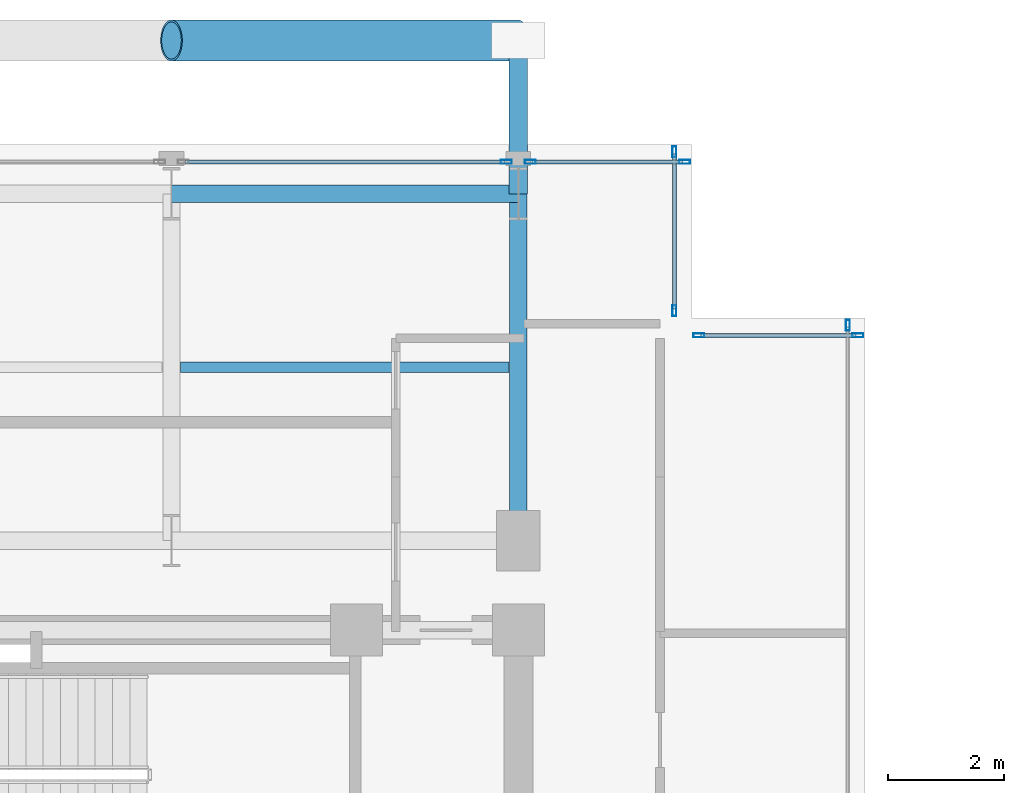
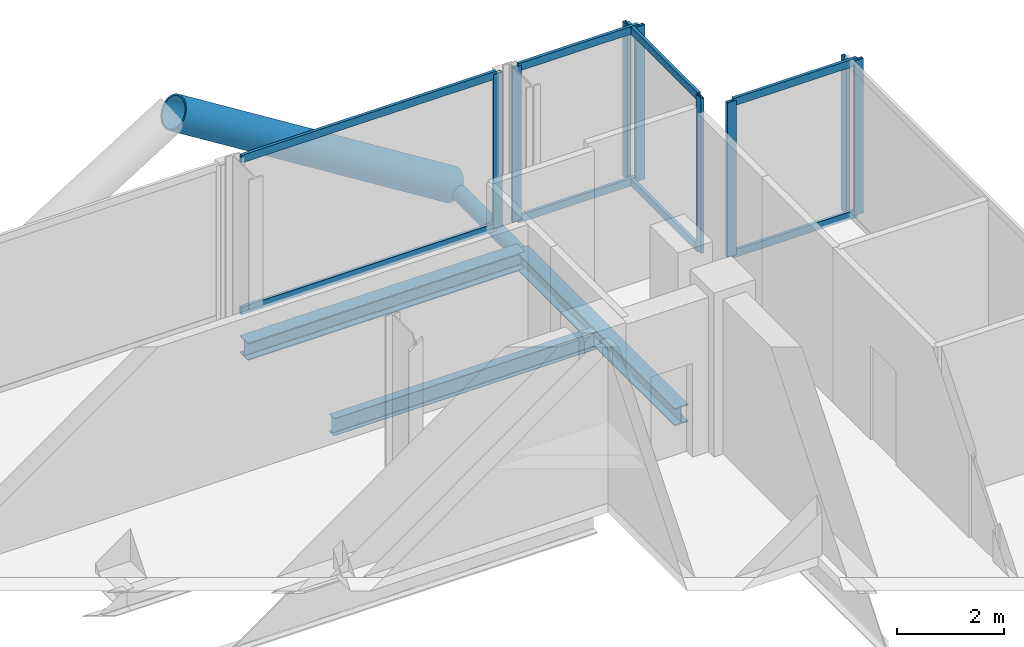
# One storey, part 15 of 25: 18 members, 3 beams, 5 elements without a shape of their own.
"""IFC4 building model written with IfcOpenShell, lengths in metres."""

from ifc_helpers import new_model, si_unit, direction, frame, origin, origin_2d, place, context, subcontext, project, spatial, hollow_rectangle, hollow_circle, i_section, extrude, material, layer, layer_set, material_profile, profile_set, type_object, element, aggregate, save


model = new_model("IFC4")

# Units and contexts
model_context = context("Model", 3, precision=1e-05, world=origin(), true_north=direction((0.0, 1.0)))
body_context = subcontext(model_context, "Body", "Model", "MODEL_VIEW")
ifc_project = project(units=[si_unit("LENGTHUNIT", "METRE"), si_unit("AREAUNIT", "SQUARE_METRE"), si_unit("VOLUMEUNIT", "CUBIC_METRE"), si_unit("PLANEANGLEUNIT", "RADIAN"), si_unit("MASSUNIT", "GRAM", prefix="KILO"), si_unit("THERMODYNAMICTEMPERATUREUNIT", "KELVIN"), si_unit("POWERUNIT", "WATT")], contexts=[model_context])

# Site, building, storey
site_placement = place(None, origin())
site = spatial("IfcSite", under=ifc_project, at=site_placement, CompositionType="ELEMENT")
building_placement = place(site_placement, origin())
building = spatial("IfcBuilding", under=site, at=building_placement, Name="Svarakhadi Broadcast Tower", CompositionType="ELEMENT")
storey_placement = place(building_placement, frame((0.0, 0.0, 227.39990234375)))
storey = spatial("IfcBuildingStorey", under=building, at=storey_placement, Name="L56", CompositionType="ELEMENT", Elevation=227.39990234375)

# Beam
ifc_material_1 = material(Name="Steel S355J2 (IS 2062 E350C)", Category="steel")
ifc_material_profile_1 = material_profile(ifc_material_1, i_section(OverallWidth=0.179931640625, OverallDepth=0.39990234375, WebThickness=0.008544921875, FlangeThickness=0.013427734375, FilletRadius=0.02099609375, at=origin_2d()), Name="NPB 400x180x66")
ifc_profile_set_1 = profile_set([ifc_material_profile_1], Name="Steel S355J2 (IS 2062 E350C)")
beam_type_1 = type_object("IfcBeamType", Name="Beam_NPB400", PredefinedType="BEAM", material=ifc_profile_set_1)
beam_placement = place(storey_placement, frame((12.159912109375, 32.14990234375, -0.409912109375), z_axis=(1.0, 0.0, 0.0), x_axis=(0.0, 1.0, 0.0)))
element("IfcBeam", 1, at=beam_placement, inside=storey, type_object=beam_type_1, Name="L56 Secondary Composite Beam SB012", PredefinedType="BEAM", context=body_context, shape_type="SweptSolid", body=[
    extrude(i_section(OverallWidth=0.179931640625, OverallDepth=0.39990234375, WebThickness=0.008544921875, FlangeThickness=0.013427734375, FilletRadius=0.02099609375, at=origin_2d()), origin(), (0.0, 0.0, 1.0), 5.68017578125),
])

# Curtain wall, member
ifc_material_2 = material(Name="Anodised Bronze Aluminium AA 6063-T6", Category="aluminium")
ifc_layer = layer(ifc_material_2, 0.18994140625)
ifc_layer_set = layer_set([ifc_layer], Name="Anodised Bronze Aluminium AA 6063-T6")
curtain_wall_type = type_object("IfcCurtainWallType", Name="CW_Sys_04", PredefinedType="NOTDEFINED", material=ifc_layer_set)
curtain_wall_1_placement = place(storey_placement, origin())
curtain_wall_1 = element("IfcCurtainWall", 2, at=curtain_wall_1_placement, inside=storey, type_object=curtain_wall_type, Name="L56 Unitised Facade Curtain Wall 06 Bay 2", PredefinedType="NOTDEFINED")
ifc_material_profile_2 = material_profile(ifc_material_2, hollow_rectangle(XDim=0.070068359375, YDim=0.18994140625, WallThickness=0.005615234375, at=origin_2d()), Name="ALU MULLION 190x70x6")
ifc_profile_set_2 = profile_set([ifc_material_profile_2], Name="Anodised Bronze Aluminium AA 6063-T6")
member_type_1 = type_object("IfcMemberType", Name="CW_Sys_04_Mul", PredefinedType="MULLION", material=ifc_profile_set_2)
member_1_placement = place(storey_placement, frame((17.794921875, 35.699951171875, 0.0), z_axis=(0.0, 0.0, 1.0), x_axis=(0.0, 1.0, 0.0)))
member_1 = element("IfcMember", 3, at=member_1_placement, type_object=member_type_1, Name="CW-04 mullion 2", PredefinedType="MULLION", context=body_context, shape_type="SweptSolid", body=[
    extrude(hollow_rectangle(XDim=0.070068359375, YDim=0.18994140625, WallThickness=0.005615234375, at=origin_2d()), origin(), (0.0, 0.0, 1.0), 3.5400390625),
])

# Curtain wall, members
curtain_wall_2_placement = place(storey_placement, origin())
curtain_wall_2 = element("IfcCurtainWall", 4, at=curtain_wall_2_placement, inside=storey, type_object=curtain_wall_type, Name="L56 Unitised Facade Curtain Wall 06 Bay 3", PredefinedType="NOTDEFINED")
member_2_placement = place(storey_placement, frame((18.205078125, 35.699951171875, 0.0), z_axis=(0.0, 0.0, 1.0), x_axis=(0.0, 1.0, 0.0)))
member_2 = element("IfcMember", 5, at=member_2_placement, type_object=member_type_1, Name="CW-04 mullion 1", PredefinedType="MULLION", context=body_context, shape_type="SweptSolid", body=[
    extrude(hollow_rectangle(XDim=0.070068359375, YDim=0.18994140625, WallThickness=0.005615234375, at=origin_2d()), origin(), (0.0, 0.0, 1.0), 3.5400390625),
])
member_3_placement = place(storey_placement, frame((20.875, 35.699951171875, 0.0), z_axis=(0.0, 0.0, 1.0), x_axis=(0.0, 1.0, 0.0)))
member_3 = element("IfcMember", 6, at=member_3_placement, type_object=member_type_1, Name="CW-04 mullion 2", PredefinedType="MULLION", context=body_context, shape_type="SweptSolid", body=[
    extrude(hollow_rectangle(XDim=0.070068359375, YDim=0.18994140625, WallThickness=0.005615234375, at=origin_2d()), origin(), (0.0, 0.0, 1.0), 3.5400390625),
])

curtain_wall_3_placement = place(storey_placement, origin())
curtain_wall_3 = element("IfcCurtainWall", 7, at=curtain_wall_3_placement, inside=storey, type_object=curtain_wall_type, Name="L56 Unitised Facade Curtain Wall 07", PredefinedType="NOTDEFINED")
member_4_placement = place(storey_placement, frame((20.699951171875, 35.875, 0.0), z_axis=(0.0, 0.0, 1.0), x_axis=(1.0, 0.0, 0.0)))
member_4 = element("IfcMember", 8, at=member_4_placement, type_object=member_type_1, Name="CW-04 mullion 1", PredefinedType="MULLION", context=body_context, shape_type="SweptSolid", body=[
    extrude(hollow_rectangle(XDim=0.070068359375, YDim=0.18994140625, WallThickness=0.005615234375, at=origin_2d()), origin(), (0.0, 0.0, 1.0), 3.5400390625),
])
member_5_placement = place(storey_placement, frame((20.699951171875, 33.125, 0.0), z_axis=(0.0, 0.0, 1.0), x_axis=(1.0, 0.0, 0.0)))
member_5 = element("IfcMember", 9, at=member_5_placement, type_object=member_type_1, Name="CW-04 mullion 2", PredefinedType="MULLION", context=body_context, shape_type="SweptSolid", body=[
    extrude(hollow_rectangle(XDim=0.070068359375, YDim=0.18994140625, WallThickness=0.005615234375, at=origin_2d()), origin(), (0.0, 0.0, 1.0), 3.5400390625),
])

curtain_wall_4_placement = place(storey_placement, origin())
curtain_wall_4 = element("IfcCurtainWall", 10, at=curtain_wall_4_placement, inside=storey, type_object=curtain_wall_type, Name="L56 Unitised Facade Curtain Wall 08", PredefinedType="NOTDEFINED")
member_6_placement = place(storey_placement, frame((21.125, 32.699951171875, 0.0), z_axis=(0.0, 0.0, 1.0), x_axis=(0.0, 1.0, 0.0)))
member_6 = element("IfcMember", 11, at=member_6_placement, type_object=member_type_1, Name="CW-04 mullion 1", PredefinedType="MULLION", context=body_context, shape_type="SweptSolid", body=[
    extrude(hollow_rectangle(XDim=0.070068359375, YDim=0.18994140625, WallThickness=0.005615234375, at=origin_2d()), origin(), (0.0, 0.0, 1.0), 3.5400390625),
])
member_7_placement = place(storey_placement, frame((23.875, 32.699951171875, 0.0), z_axis=(0.0, 0.0, 1.0), x_axis=(0.0, 1.0, 0.0)))
member_7 = element("IfcMember", 12, at=member_7_placement, type_object=member_type_1, Name="CW-04 mullion 2", PredefinedType="MULLION", context=body_context, shape_type="SweptSolid", body=[
    extrude(hollow_rectangle(XDim=0.070068359375, YDim=0.18994140625, WallThickness=0.005615234375, at=origin_2d()), origin(), (0.0, 0.0, 1.0), 3.5400390625),
])

# Curtain wall, member
curtain_wall_5_placement = place(storey_placement, origin())
curtain_wall_5 = element("IfcCurtainWall", 13, at=curtain_wall_5_placement, inside=storey, type_object=curtain_wall_type, Name="L56 Unitised Facade Curtain Wall 09", PredefinedType="NOTDEFINED")
member_8_placement = place(storey_placement, frame((23.699951171875, 32.875, 0.0), z_axis=(0.0, 0.0, 1.0), x_axis=(1.0, 0.0, 0.0)))
member_8 = element("IfcMember", 14, at=member_8_placement, type_object=member_type_1, Name="CW-04 mullion 1", PredefinedType="MULLION", context=body_context, shape_type="SweptSolid", body=[
    extrude(hollow_rectangle(XDim=0.070068359375, YDim=0.18994140625, WallThickness=0.005615234375, at=origin_2d()), origin(), (0.0, 0.0, 1.0), 3.5400390625),
])
aggregate(curtain_wall_5, [member_8])

# Member
ifc_material_profile_3 = material_profile(ifc_material_2, hollow_rectangle(XDim=0.06494140625, YDim=0.175048828125, WallThickness=0.0048828125, at=origin_2d()), Name="ALU TRANSOM 175x65x5")
ifc_profile_set_3 = profile_set([ifc_material_profile_3], Name="Anodised Bronze Aluminium AA 6063-T6")
member_type_2 = type_object("IfcMemberType", Name="CW_Sys_04_Trn", PredefinedType="USERDEFINED", material=ifc_profile_set_3)
member_9_placement = place(storey_placement, frame((12.239990234375, 35.699951171875, 0.03271484375), z_axis=(1.0, 0.0, 0.0), x_axis=(0.0, 1.0, 0.0)))
member_9 = element("IfcMember", 15, at=member_9_placement, type_object=member_type_2, Name="CW-04 transom 1.1", ObjectType="TRANSOM", PredefinedType="USERDEFINED", context=body_context, shape_type="SweptSolid", body=[
    extrude(hollow_rectangle(XDim=0.06494140625, YDim=0.175048828125, WallThickness=0.0048828125, at=origin_2d()), origin(), (0.0, 0.0, 1.0), 5.52001953125),
])

member_10_placement = place(storey_placement, frame((12.239990234375, 35.699951171875, 3.507568359375), z_axis=(1.0, 0.0, 0.0), x_axis=(0.0, 1.0, 0.0)))
member_10 = element("IfcMember", 16, at=member_10_placement, type_object=member_type_2, Name="CW-04 transom 1.2", ObjectType="TRANSOM", PredefinedType="USERDEFINED", context=body_context, shape_type="SweptSolid", body=[
    extrude(hollow_rectangle(XDim=0.06494140625, YDim=0.175048828125, WallThickness=0.0048828125, at=origin_2d()), origin(), (0.0, 0.0, 1.0), 5.52001953125),
])

aggregate(curtain_wall_1, [member_1, member_9, member_10])

member_11_placement = place(storey_placement, frame((18.239990234375, 35.699951171875, 0.03271484375), z_axis=(1.0, 0.0, 0.0), x_axis=(0.0, 1.0, 0.0)))
member_11 = element("IfcMember", 17, at=member_11_placement, type_object=member_type_2, Name="CW-04 transom 1.1", ObjectType="TRANSOM", PredefinedType="USERDEFINED", context=body_context, shape_type="SweptSolid", body=[
    extrude(hollow_rectangle(XDim=0.06494140625, YDim=0.175048828125, WallThickness=0.0048828125, at=origin_2d()), origin(), (0.0, 0.0, 1.0), 2.60009765625),
])

member_12_placement = place(storey_placement, frame((18.239990234375, 35.699951171875, 3.507568359375), z_axis=(1.0, 0.0, 0.0), x_axis=(0.0, 1.0, 0.0)))
member_12 = element("IfcMember", 18, at=member_12_placement, type_object=member_type_2, Name="CW-04 transom 1.2", ObjectType="TRANSOM", PredefinedType="USERDEFINED", context=body_context, shape_type="SweptSolid", body=[
    extrude(hollow_rectangle(XDim=0.06494140625, YDim=0.175048828125, WallThickness=0.0048828125, at=origin_2d()), origin(), (0.0, 0.0, 1.0), 2.60009765625),
])

aggregate(curtain_wall_2, [member_2, member_3, member_11, member_12])

member_13_placement = place(storey_placement, frame((20.699951171875, 35.840087890625, 0.03271484375), z_axis=(0.0, -1.0, 0.0), x_axis=(1.0, 0.0, 0.0)))
member_13 = element("IfcMember", 19, at=member_13_placement, type_object=member_type_2, Name="CW-04 transom 1.1", ObjectType="TRANSOM", PredefinedType="USERDEFINED", context=body_context, shape_type="SweptSolid", body=[
    extrude(hollow_rectangle(XDim=0.06494140625, YDim=0.175048828125, WallThickness=0.0048828125, at=origin_2d()), origin(), (0.0, 0.0, 1.0), 2.68017578125),
])

member_14_placement = place(storey_placement, frame((20.699951171875, 35.840087890625, 3.507568359375), z_axis=(0.0, -1.0, 0.0), x_axis=(1.0, 0.0, 0.0)))
member_14 = element("IfcMember", 20, at=member_14_placement, type_object=member_type_2, Name="CW-04 transom 1.2", ObjectType="TRANSOM", PredefinedType="USERDEFINED", context=body_context, shape_type="SweptSolid", body=[
    extrude(hollow_rectangle(XDim=0.06494140625, YDim=0.175048828125, WallThickness=0.0048828125, at=origin_2d()), origin(), (0.0, 0.0, 1.0), 2.68017578125),
])

aggregate(curtain_wall_3, [member_4, member_5, member_13, member_14])

member_15_placement = place(storey_placement, frame((21.159912109375, 32.699951171875, 0.03271484375), z_axis=(1.0, 0.0, 0.0), x_axis=(0.0, 1.0, 0.0)))
member_15 = element("IfcMember", 21, at=member_15_placement, type_object=member_type_2, Name="CW-04 transom 1.1", ObjectType="TRANSOM", PredefinedType="USERDEFINED", context=body_context, shape_type="SweptSolid", body=[
    extrude(hollow_rectangle(XDim=0.06494140625, YDim=0.175048828125, WallThickness=0.0048828125, at=origin_2d()), origin(), (0.0, 0.0, 1.0), 2.68017578125),
])

member_16_placement = place(storey_placement, frame((21.159912109375, 32.699951171875, 3.507568359375), z_axis=(1.0, 0.0, 0.0), x_axis=(0.0, 1.0, 0.0)))
member_16 = element("IfcMember", 22, at=member_16_placement, type_object=member_type_2, Name="CW-04 transom 1.2", ObjectType="TRANSOM", PredefinedType="USERDEFINED", context=body_context, shape_type="SweptSolid", body=[
    extrude(hollow_rectangle(XDim=0.06494140625, YDim=0.175048828125, WallThickness=0.0048828125, at=origin_2d()), origin(), (0.0, 0.0, 1.0), 2.68017578125),
])

aggregate(curtain_wall_4, [member_6, member_7, member_15, member_16])

# Members
ifc_material_3 = material(Name="Steel S460ML (IS 2062 E450BR)", Category="steel")
ifc_material_profile_4 = material_profile(ifc_material_3, hollow_circle(Radius=0.35546875, WallThickness=0.034912109375, at=origin_2d()), Name="CHS 711x35")
ifc_profile_set_4 = profile_set([ifc_material_profile_4], Name="Steel S460ML (IS 2062 E450BR)")
member_type_3 = type_object("IfcMemberType", Name="Exo_Brace_CHS711", PredefinedType="BRACE", material=ifc_profile_set_4)
member_17_placement = place(storey_placement, frame((18.0, 37.800048828125, -0.371826171875), z_axis=(-0.847998304005, 0.0, 0.529998940003), x_axis=(0.0, -1.0, 0.0)))
element("IfcMember", 23, at=member_17_placement, inside=storey, type_object=member_type_3, Name="L56 Exposed Bronze Exoskeleton Diagonal N09", PredefinedType="BRACE", context=body_context, shape_type="SweptSolid", body=[
    extrude(hollow_circle(Radius=0.35546875, WallThickness=0.034912109375, at=origin_2d()), origin(), (0.0, 0.0, 1.0), 7.075439453125),
])
ifc_material_profile_5 = material_profile(ifc_material_3, hollow_circle(Radius=0.161865234375, WallThickness=0.01611328125, at=origin_2d()), Name="CHS 323.9x16")
ifc_profile_set_5 = profile_set([ifc_material_profile_5], Name="Steel S460ML (IS 2062 E450BR)")
member_type_4 = type_object("IfcMemberType", Name="Exo_Radial_Strut_Z2", PredefinedType="STRUT", material=ifc_profile_set_5)
member_18_placement = place(storey_placement, frame((18.0, 37.800048828125, -0.371826171875), z_axis=(0.0, -1.0, 0.0), x_axis=(1.0, 0.0, 0.0)))
element("IfcMember", 24, at=member_18_placement, inside=storey, type_object=member_type_4, Name="L56 Exoskeleton Radial Tie Strut N10", PredefinedType="STRUT", context=body_context, shape_type="SweptSolid", body=[
    extrude(hollow_circle(Radius=0.161865234375, WallThickness=0.01611328125, at=origin_2d()), origin(), (0.0, 0.0, 1.0), 2.650146484375),
])

# Beams
ifc_material_profile_6 = material_profile(ifc_material_1, i_section(OverallWidth=0.300048828125, OverallDepth=0.39990234375, WebThickness=0.013427734375, FlangeThickness=0.02392578125, FilletRadius=0.027099609375, at=origin_2d()), Name="WPB 400x300x155")
ifc_profile_set_6 = profile_set([ifc_material_profile_6], Name="Steel S355J2 (IS 2062 E350C)")
beam_type_2 = type_object("IfcBeamType", Name="Girder_WPB400", PredefinedType="USERDEFINED", material=ifc_profile_set_6)
for number, where, z_axis, x_axis, name in (
    (25, (12.0, 35.14990234375, -0.409912109375), (1.0, 0.0, 0.0), (0.0, 1.0, 0.0), "L56 Primary E-W Girder G032"),
    (26, (18.0, 29.14990234375, -0.409912109375), (0.0, 1.0, 0.0), (-1.0, 0.0, 0.0), "L56 Primary N-S Girder G050"),
):
    element("IfcBeam", number, at=place(storey_placement, frame(where, z_axis=z_axis, x_axis=x_axis)), inside=storey, type_object=beam_type_2, Name=name, ObjectType="GIRDER", PredefinedType="USERDEFINED", context=body_context, shape_type="SweptSolid", body=[
        extrude(i_section(OverallWidth=0.300048828125, OverallDepth=0.39990234375, WebThickness=0.013427734375, FlangeThickness=0.02392578125, FilletRadius=0.027099609375, at=origin_2d()), origin(), (0.0, 0.0, 1.0), 6.0),
    ])

save(model, "model.ifc")
